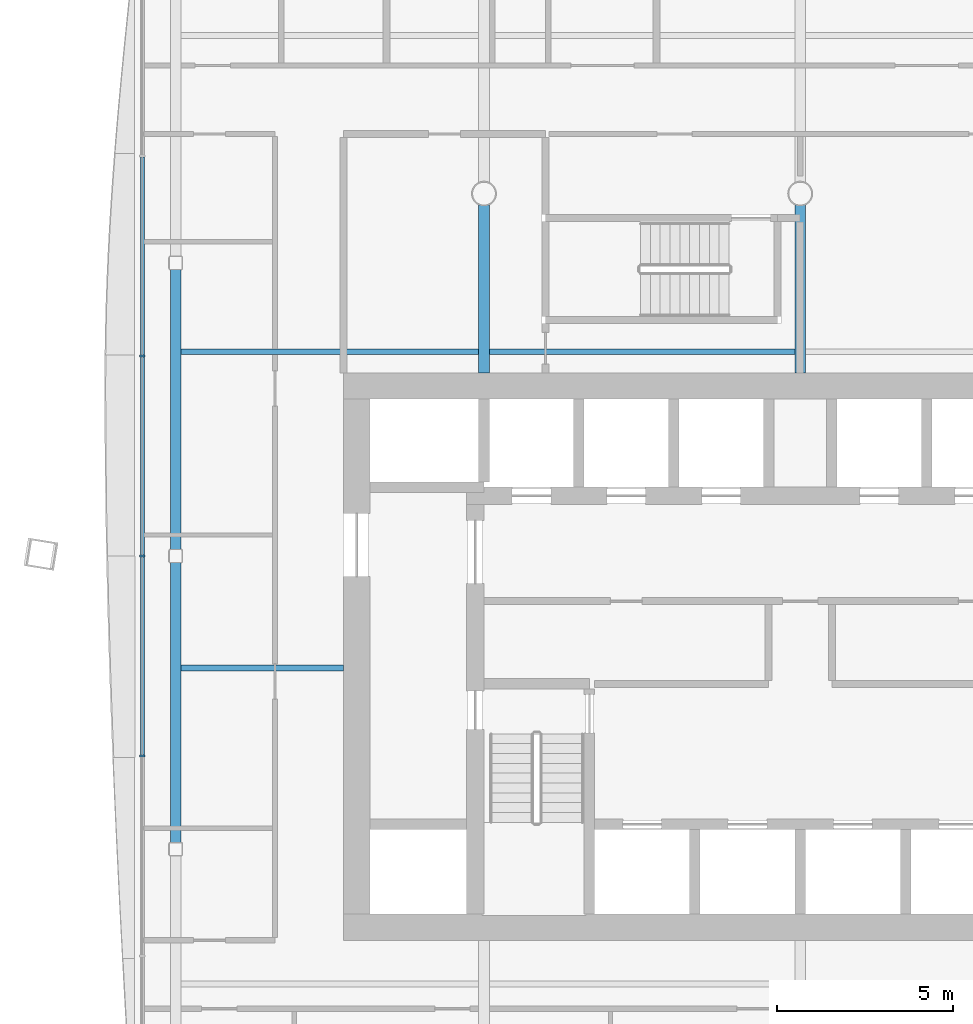
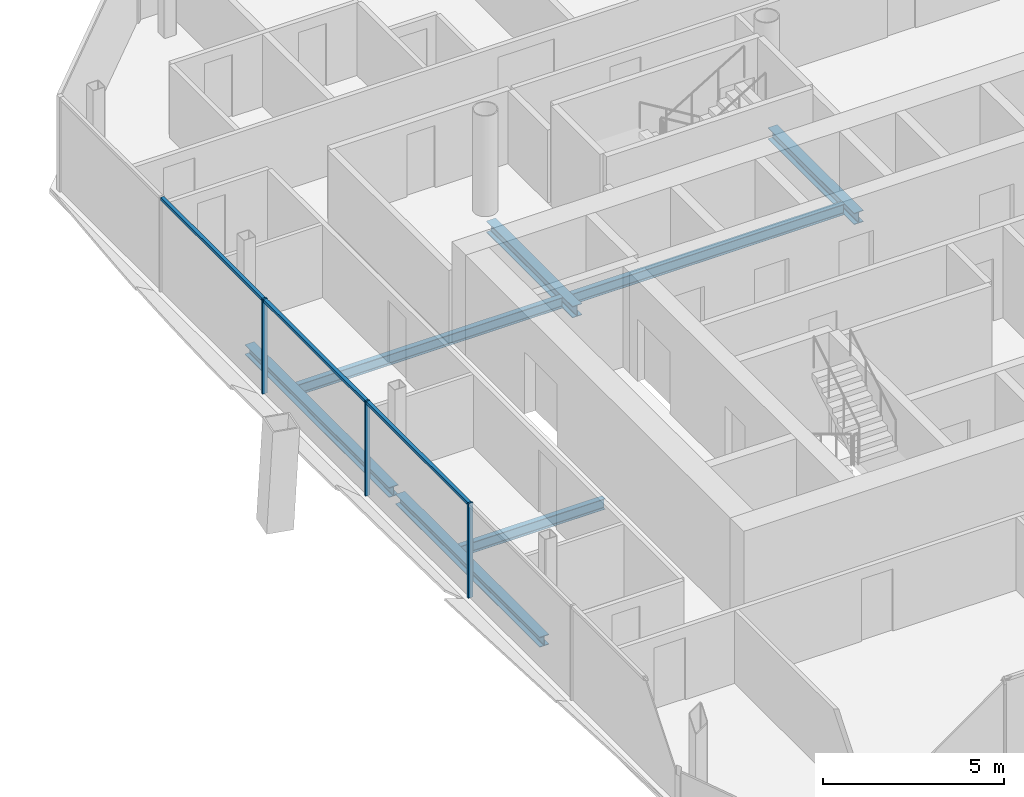
# One storey, part 6 of 18: 7 beams, 6 members, 1 element without a shape of its own.
"""IFC4 building model written with IfcOpenShell, lengths in metres."""

from ifc_helpers import new_model, si_unit, direction, frame, origin, origin_2d, place, context, subcontext, project, spatial, rectangle, i_section, extrude, material, material_profile, profile_set, type_object, element, aggregate, save


model = new_model("IFC4")

# Units and contexts
model_context = context("Model", 3, precision=1e-05, world=origin(), true_north=direction((0.0, 1.0)))
body_context = subcontext(model_context, "Body", "Model", "MODEL_VIEW")
ifc_project = project(units=[si_unit("LENGTHUNIT", "METRE"), si_unit("AREAUNIT", "SQUARE_METRE"), si_unit("VOLUMEUNIT", "CUBIC_METRE"), si_unit("PLANEANGLEUNIT", "RADIAN"), si_unit("MASSUNIT", "GRAM", prefix="KILO")], contexts=[model_context])

# Site, building, storey
site_placement = place(None, origin())
site = spatial("IfcSite", under=ifc_project, at=site_placement, CompositionType="ELEMENT")
building_placement = place(site_placement, origin())
building = spatial("IfcBuilding", under=site, at=building_placement, Name="Tskaro Facet Tower", CompositionType="ELEMENT")
storey_placement = place(building_placement, frame((0.0, 0.0, 155.5)))
storey = spatial("IfcBuildingStorey", under=building, at=storey_placement, Name="L38", CompositionType="ELEMENT", Elevation=155.5)

# Curtain wall, members
ifc_material_1 = material(Name="Bronze anodised aluminium 6063-T6", Category="aluminium")
curtain_wall_type = type_object("IfcCurtainWallType", Name="Bronze hotel curtain wall (FW2)", PredefinedType="NOTDEFINED", material=ifc_material_1)
curtain_wall_placement = place(storey_placement, origin())
curtain_wall = element("IfcCurtainWall", 1, at=curtain_wall_placement, inside=storey, type_object=curtain_wall_type, Name="FW2 west facet L38", PredefinedType="NOTDEFINED")
ifc_material_profile_1 = material_profile(ifc_material_1, rectangle(XDim=0.06005859375, YDim=0.14990234375, at=origin_2d()), Name="Mullion 60x150")
ifc_profile_set_1 = profile_set([ifc_material_profile_1], Name="Bronze anodised aluminium 6063-T6")
member_type_1 = type_object("IfcMemberType", Name="FW2 bronze mullion 60x150", PredefinedType="MULLION", material=ifc_profile_set_1)
member_1_placement = place(storey_placement, frame((-18.72412109375, 4.376708984375, 0.0), z_axis=(0.0, 0.0, 1.0), x_axis=(0.0, -1.0, 0.0)))
member_1 = element("IfcMember", 2, at=member_1_placement, type_object=member_type_1, Name="FW2 west mullion 2", PredefinedType="MULLION", context=body_context, shape_type="SweptSolid", body=[
    extrude(rectangle(XDim=0.06005859375, YDim=0.14990234375, at=origin_2d()), origin(), (0.0, 0.0, 1.0), 3.199951171875),
])
member_2_placement = place(storey_placement, frame((-18.72412109375, -1.3154296875, 0.0), z_axis=(0.0, 0.0, 1.0), x_axis=(0.0, -1.0, 0.0)))
member_2 = element("IfcMember", 3, at=member_2_placement, type_object=member_type_1, Name="FW2 west mullion 3", PredefinedType="MULLION", context=body_context, shape_type="SweptSolid", body=[
    extrude(rectangle(XDim=0.06005859375, YDim=0.14990234375, at=origin_2d()), origin(), (0.0, 0.0, 1.0), 3.199951171875),
])
member_3_placement = place(storey_placement, frame((-18.72412109375, -7.007568359375, 0.0), z_axis=(0.0, 0.0, 1.0), x_axis=(0.0, -1.0, 0.0)))
member_3 = element("IfcMember", 4, at=member_3_placement, type_object=member_type_1, Name="FW2 west mullion 4", PredefinedType="MULLION", context=body_context, shape_type="SweptSolid", body=[
    extrude(rectangle(XDim=0.06005859375, YDim=0.14990234375, at=origin_2d()), origin(), (0.0, 0.0, 1.0), 3.199951171875),
])
ifc_material_profile_2 = material_profile(ifc_material_1, rectangle(XDim=0.110107421875, YDim=0.10009765625, at=origin_2d()), Name="Transom 110x100")
ifc_profile_set_2 = profile_set([ifc_material_profile_2], Name="Bronze anodised aluminium 6063-T6")
member_type_2 = type_object("IfcMemberType", Name="FW2 bronze transom 110x100", PredefinedType="USERDEFINED", material=ifc_profile_set_2)
member_4_placement = place(storey_placement, frame((-18.72412109375, 10.038818359375, 3.14990234375), z_axis=(0.0, -1.0, 0.0), x_axis=(1.0, 0.0, 0.0)))
member_4 = element("IfcMember", 5, at=member_4_placement, type_object=member_type_2, Name="FW2 west transom 2.1", ObjectType="TRANSOM", PredefinedType="USERDEFINED", context=body_context, shape_type="SweptSolid", body=[
    extrude(rectangle(XDim=0.110107421875, YDim=0.10009765625, at=origin_2d()), origin(), (0.0, 0.0, 1.0), 5.632080078125),
])
member_5_placement = place(storey_placement, frame((-18.72412109375, 4.3466796875, 3.14990234375), z_axis=(0.0, -1.0, 0.0), x_axis=(1.0, 0.0, 0.0)))
member_5 = element("IfcMember", 6, at=member_5_placement, type_object=member_type_2, Name="FW2 west transom 3.1", ObjectType="TRANSOM", PredefinedType="USERDEFINED", context=body_context, shape_type="SweptSolid", body=[
    extrude(rectangle(XDim=0.110107421875, YDim=0.10009765625, at=origin_2d()), origin(), (0.0, 0.0, 1.0), 5.632080078125),
])
member_6_placement = place(storey_placement, frame((-18.72412109375, -1.345458984375, 3.14990234375), z_axis=(0.0, -1.0, 0.0), x_axis=(1.0, 0.0, 0.0)))
member_6 = element("IfcMember", 7, at=member_6_placement, type_object=member_type_2, Name="FW2 west transom 4.1", ObjectType="TRANSOM", PredefinedType="USERDEFINED", context=body_context, shape_type="SweptSolid", body=[
    extrude(rectangle(XDim=0.110107421875, YDim=0.10009765625, at=origin_2d()), origin(), (0.0, 0.0, 1.0), 5.63232421875),
])
aggregate(curtain_wall, [member_1, member_2, member_3, member_4, member_5, member_6])

# Beams
ifc_material_2 = material(Name="Steel S355J2", Category="steel")
ifc_material_profile_3 = material_profile(ifc_material_2, i_section(OverallWidth=0.300048828125, OverallDepth=0.340087890625, WebThickness=0.011962890625, FlangeThickness=0.021484375, FilletRadius=0.027099609375, at=origin_2d()), Name="HE 340 B")
ifc_profile_set_3 = profile_set([ifc_material_profile_3], Name="Steel S355J2")
beam_type_1 = type_object("IfcBeamType", Name="HE 340 B ring beam", PredefinedType="BEAM", material=ifc_profile_set_3)
beam_1_placement = place(storey_placement, frame((-17.77392578125, 6.845947265625, -0.31005859375), z_axis=(0.0, -1.0, 0.0), x_axis=(1.0, 0.0, 0.0)))
element("IfcBeam", 8, at=beam_1_placement, inside=storey, type_object=beam_type_1, Name="HE 340 B EB17-3", PredefinedType="BEAM", context=body_context, shape_type="SweptSolid", body=[
    extrude(i_section(OverallWidth=0.300048828125, OverallDepth=0.340087890625, WebThickness=0.011962890625, FlangeThickness=0.021484375, FilletRadius=0.027099609375, at=origin_2d()), origin(), (0.0, 0.0, 1.0), 7.98095703125),
])
beam_2_placement = place(storey_placement, frame((-17.77392578125, -1.4951171875, -0.31005859375), z_axis=(0.0, -1.0, 0.0), x_axis=(1.0, 0.0, 0.0)))
element("IfcBeam", 9, at=beam_2_placement, inside=storey, type_object=beam_type_1, Name="HE 340 B EB18-3", PredefinedType="BEAM", context=body_context, shape_type="SweptSolid", body=[
    extrude(i_section(OverallWidth=0.300048828125, OverallDepth=0.340087890625, WebThickness=0.011962890625, FlangeThickness=0.021484375, FilletRadius=0.027099609375, at=origin_2d()), origin(), (0.0, 0.0, 1.0), 7.98193359375),
])
ifc_material_profile_4 = material_profile(ifc_material_2, i_section(OverallWidth=0.300048828125, OverallDepth=0.389892578125, WebThickness=0.010986328125, FlangeThickness=0.01904296875, FilletRadius=0.027099609375, at=origin_2d()), Name="HE 400 A")
ifc_profile_set_4 = profile_set([ifc_material_profile_4], Name="Steel S355J2")
beam_type_2 = type_object("IfcBeamType", Name="HE 400 A girder", PredefinedType="BEAM", material=ifc_profile_set_4)
for number, where, z_axis, x_axis, name in (
    (10, (-9.0, 3.89990234375, -0.3349609375), (0.0, 1.0, 0.0), (-1.0, 0.0, 0.0), "HE 400 A GB3-2-3"),
    (11, (0.0, 3.89990234375, -0.3349609375), (0.0, 1.0, 0.0), (-1.0, 0.0, 0.0), "HE 400 A GB4-2-3"),
):
    element("IfcBeam", number, at=place(storey_placement, frame(where, z_axis=z_axis, x_axis=x_axis)), inside=storey, type_object=beam_type_2, Name=name, PredefinedType="BEAM", context=body_context, shape_type="SweptSolid", body=[
        extrude(i_section(OverallWidth=0.300048828125, OverallDepth=0.389892578125, WebThickness=0.010986328125, FlangeThickness=0.01904296875, FilletRadius=0.027099609375, at=origin_2d()), origin(), (0.0, 0.0, 1.0), 4.774658203125),
    ])
ifc_material_profile_5 = material_profile(ifc_material_2, i_section(OverallWidth=0.169921875, OverallDepth=0.360107421875, WebThickness=0.008056640625, FlangeThickness=0.0126953125, FilletRadius=0.01806640625, at=origin_2d()), Name="IPE 360")
ifc_profile_set_5 = profile_set([ifc_material_profile_5], Name="Steel S355J2")
beam_type_3 = type_object("IfcBeamType", Name="IPE 360 secondary beam", PredefinedType="BEAM", material=ifc_profile_set_5)
beam_3_placement = place(storey_placement, frame((-17.6240234375, -4.5, -0.320068359375), z_axis=(1.0, 0.0, 0.0), x_axis=(0.0, 1.0, 0.0)))
element("IfcBeam", 12, at=beam_3_placement, inside=storey, type_object=beam_type_3, Name="IPE 360 SB3a-1-3", PredefinedType="BEAM", context=body_context, shape_type="SweptSolid", body=[
    extrude(i_section(OverallWidth=0.169921875, OverallDepth=0.360107421875, WebThickness=0.008056640625, FlangeThickness=0.0126953125, FilletRadius=0.01806640625, at=origin_2d()), origin(), (0.0, 0.0, 1.0), 4.6240234375),
])
beam_4_placement = place(storey_placement, frame((-17.6240234375, 4.5, -0.320068359375), z_axis=(1.0, 0.0, 0.0), x_axis=(0.0, 1.0, 0.0)))
element("IfcBeam", 13, at=beam_4_placement, inside=storey, type_object=beam_type_3, Name="IPE 360 SB4a-1-3", PredefinedType="BEAM", context=body_context, shape_type="SweptSolid", body=[
    extrude(i_section(OverallWidth=0.169921875, OverallDepth=0.360107421875, WebThickness=0.008056640625, FlangeThickness=0.0126953125, FilletRadius=0.01806640625, at=origin_2d()), origin(), (0.0, 0.0, 1.0), 8.47412109375),
])
beam_5_placement = place(storey_placement, frame((-8.85009765625, 4.5, -0.320068359375), z_axis=(1.0, 0.0, 0.0), x_axis=(0.0, 1.0, 0.0)))
element("IfcBeam", 14, at=beam_5_placement, inside=storey, type_object=beam_type_3, Name="IPE 360 SB4a-2-3", PredefinedType="BEAM", context=body_context, shape_type="SweptSolid", body=[
    extrude(i_section(OverallWidth=0.169921875, OverallDepth=0.360107421875, WebThickness=0.008056640625, FlangeThickness=0.0126953125, FilletRadius=0.01806640625, at=origin_2d()), origin(), (0.0, 0.0, 1.0), 8.7001953125),
])

save(model, "model.ifc")
